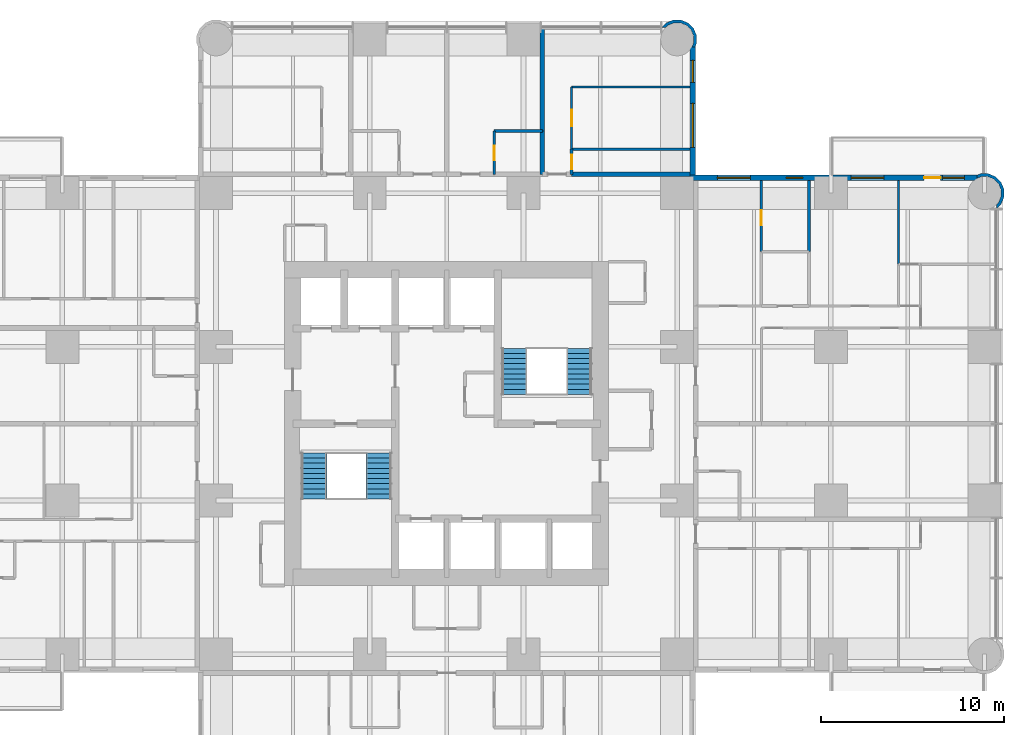
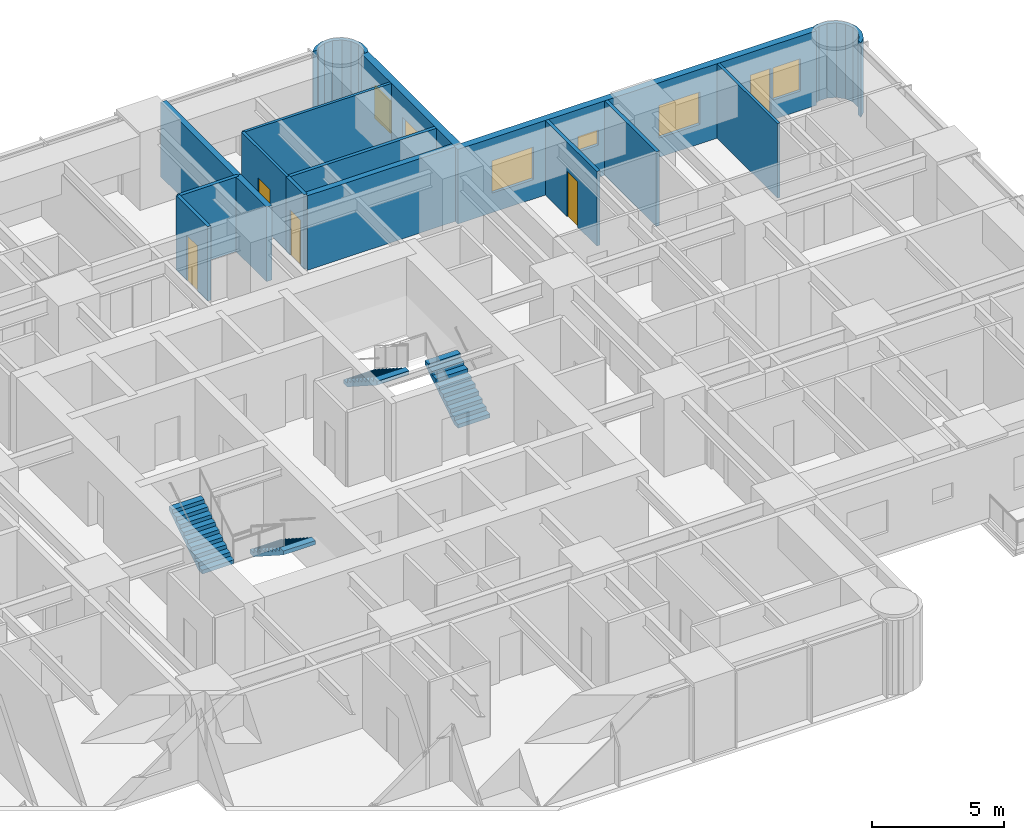
# One storey, part 12 of 14: 16 walls, 6 windows, 5 doors, 4 stair flights, 11 openings, 2 elements without a shape of their own.
"""IFC4 building model written with IfcOpenShell, lengths in metres."""

from ifc_helpers import new_model, si_unit, direction, frame, frame_2d, origin, place, context, subcontext, project, spatial, polyline, rectangle, outline, extrude, material, layer, layer_set, type_object, element, fill, aggregate, save


model = new_model("IFC4")

# Units and contexts
model_context = context("Model", 3, precision=1e-05, world=origin(), true_north=direction((0.0, 1.0)))
body_context = subcontext(model_context, "Body", "Model", "MODEL_VIEW")
ifc_project = project(units=[si_unit("LENGTHUNIT", "METRE"), si_unit("AREAUNIT", "SQUARE_METRE"), si_unit("VOLUMEUNIT", "CUBIC_METRE"), si_unit("PLANEANGLEUNIT", "RADIAN"), si_unit("MASSUNIT", "GRAM", prefix="KILO")], contexts=[model_context])

# Site, building, storey
site_placement = place(None, origin())
site = spatial("IfcSite", under=ifc_project, at=site_placement, CompositionType="ELEMENT")
building_placement = place(site_placement, origin())
building = spatial("IfcBuilding", under=site, at=building_placement, Name="Torre Alcanfor", CompositionType="ELEMENT")
storey_placement = place(building_placement, frame((0.0, 0.0, 170.10009765625)))
storey = spatial("IfcBuildingStorey", under=building, at=storey_placement, Name="L44", CompositionType="ELEMENT", Elevation=170.10009765625)

# Walls
ifc_material_1 = material(Name="Concrete block masonry, hollow blocks NMX-C-404 9 MPa", Category="masonry")
ifc_layer_1 = layer(ifc_material_1, 0.25)
ifc_layer_set_1 = layer_set([ifc_layer_1], Name="Apartment entrance wall 250 EI 60")
wall_type_1 = type_object("IfcWallType", Name="Apartment entrance wall 250 EI 60", PredefinedType="PARTITIONING", material=ifc_layer_set_1)
wall_1_placement = place(storey_placement, frame((36.22900390625, 43.02490234375, 0.0), z_axis=(0.0, 0.0, 1.0), x_axis=(1.0, 0.0, 0.0)))
element("IfcWall", 1, at=wall_1_placement, inside=storey, type_object=wall_type_1, Name="Partition L44-CORR / L44-N2B-BATH", PredefinedType="PARTITIONING", context=body_context, shape_type="SweptSolid", body=[
    extrude(rectangle(XDim=6.470947265625, YDim=0.25, at=frame_2d((3.2353515625, 0.0))), origin(), (0.0, 0.0, 1.0), 3.449951171875),
])
ifc_material_2 = material(Name="Gypsum board on steel studs", Category="steel")
ifc_layer_2 = layer(ifc_material_2, 0.1201171875)
ifc_layer_set_2 = layer_set([ifc_layer_2], Name="Apartment partition 120")
wall_type_2 = type_object("IfcWallType", Name="Apartment partition 120", PredefinedType="PARTITIONING", material=ifc_layer_set_2)
wall_2_placement = place(storey_placement, frame((42.699951171875, 47.800048828125, 0.0), z_axis=(0.0, 0.0, 1.0), x_axis=(-1.0, 0.0, 0.0)))
element("IfcWall", 2, at=wall_2_placement, inside=storey, type_object=wall_type_2, Name="Partition L44-N2B-LIVING / L44-N2B-MASTER", PredefinedType="PARTITIONING", context=body_context, shape_type="SweptSolid", body=[
    extrude(rectangle(XDim=6.470947265625, YDim=0.1201171875, at=frame_2d((3.2353515625, 0.0))), origin(), (0.0, 0.0, 1.0), 3.449951171875),
])

# Wall, opening, door
wall_3_placement = place(storey_placement, frame((36.22900390625, 47.800048828125, 0.0), z_axis=(0.0, 0.0, 1.0), x_axis=(0.0, -1.0, 0.0)))
wall_3 = element("IfcWall", 3, at=wall_3_placement, inside=storey, type_object=wall_type_2, Name="Partition L44-N2B-LIVING / L44-N2B-MASTER", PredefinedType="PARTITIONING", context=body_context, shape_type="SweptSolid", body=[
    extrude(rectangle(XDim=3.400146484375, YDim=0.1201171875, at=frame_2d((1.7001953125, 0.0))), origin(), (0.0, 0.0, 1.0), 3.449951171875),
])
opening_1_placement = place(wall_3_placement, frame((1.25, 0.0, 0.0)))
opening_1 = element("IfcOpeningElement", 4, at=opening_1_placement, cuts=wall_3, Name="Opening D-R1", PredefinedType="OPENING", context=body_context, shape_type="SweptSolid", body=[
    extrude(rectangle(XDim=0.89990234375, YDim=2.10009765625, at=frame_2d((0.449951171875, 1.050048828125))), frame((0.0, 0.070068359375, 0.0), z_axis=(0.0, -1.0, 0.0), x_axis=(1.0, 0.0, 0.0)), (0.0, 0.0, 1.0), 0.14013671875),
])
ifc_material_3 = material(Name="Timber", Category="wood")
door_type_1 = type_object("IfcDoorType", Name="Internal door 900x2100", OperationType="SINGLE_SWING_LEFT", PredefinedType="DOOR", material=ifc_material_3)
door_1_placement = place(opening_1_placement, origin())
door_1 = element("IfcDoor", 5, at=door_1_placement, inside=storey, type_object=door_type_1, Name="Door L44-N2B master", OperationType="SINGLE_SWING_LEFT", OverallHeight=2.10009765625, OverallWidth=0.89990234375, PredefinedType="DOOR", context=body_context, shape_type="SweptSolid", body=[
    extrude(rectangle(XDim=0.89990234375, YDim=2.10009765625, at=frame_2d((0.449951171875, 1.050048828125))), frame((0.0, 0.02490234375, 0.0), z_axis=(0.0, -1.0, 0.0), x_axis=(1.0, 0.0, 0.0)), (0.0, 0.0, 1.0), 0.050048828125),
])
fill(opening_1, door_1)

# Wall
wall_4_placement = place(storey_placement, frame((54.10009765625, 38.114013671875, 0.0), z_axis=(0.0, 0.0, 1.0), x_axis=(0.0, 1.0, 0.0)))
element("IfcWall", 6, at=wall_4_placement, inside=storey, type_object=wall_type_2, Name="Partition L44-E1-BED3 / L44-E1-MASTER", PredefinedType="PARTITIONING", context=body_context, shape_type="SweptSolid", body=[
    extrude(rectangle(XDim=4.5859375, YDim=0.1201171875, at=frame_2d((2.29296875, 0.0))), origin(), (0.0, 0.0, 1.0), 3.449951171875),
])

# Wall, openings, door, windows
ifc_material_4 = material(Name="Limestone cladding", Category="masonry")
ifc_layer_3 = layer(ifc_material_4, 0.0400390625, Name="Facing")
ifc_material_5 = material(Name="Ventilated air cavity")
ifc_layer_4 = layer(ifc_material_5, 0.02001953125, ventilated=True, Name="Ventilated joint")
ifc_material_6 = material(Name="Mineral wool insulation", Category="insulation")
ifc_layer_5 = layer(ifc_material_6, 0.10009765625, Name="Insulation")
ifc_material_7 = material(Name="Concrete f'c 35 MPa", Category="concrete")
ifc_layer_6 = layer(ifc_material_7, 0.139892578125, Name="Backing")
ifc_layer_set_3 = layer_set([ifc_layer_3, ifc_layer_4, ifc_layer_5, ifc_layer_6], Name="External wall stone-clad 300")
wall_type_3 = type_object("IfcWallType", Name="External wall stone-clad 300", PredefinedType="SOLIDWALL", material=ifc_layer_set_3)
wall_5_placement = place(storey_placement, frame((58.39990234375, 42.85009765625, 0.0), z_axis=(0.0, 0.0, 1.0), x_axis=(-1.0, 0.0, 0.0)))
wall_5 = element("IfcWall", 7, at=wall_5_placement, inside=storey, type_object=wall_type_3, Name="External wall L44 9", PredefinedType="SOLIDWALL", context=body_context, shape_type="SweptSolid", body=[
    extrude(rectangle(XDim=15.699951171875, YDim=0.300048828125, at=frame_2d((7.85009765625, 0.0))), origin(), (0.0, 0.0, 1.0), 3.449951171875),
])
opening_2_placement = place(wall_5_placement, frame((12.39990234375, 0.0, 0.89990234375)))
opening_2 = element("IfcOpeningElement", 8, at=opening_2_placement, cuts=wall_5, Name="Opening W2", PredefinedType="OPENING", context=body_context, shape_type="SweptSolid", body=[
    extrude(rectangle(XDim=1.800048828125, YDim=1.5, at=frame_2d((0.89990234375, 0.75))), frame((0.0, 0.159912109375, 0.0), z_axis=(0.0, -1.0, 0.0), x_axis=(1.0, 0.0, 0.0)), (0.0, 0.0, 1.0), 0.320068359375),
])
opening_3_placement = place(wall_5_placement, frame((9.550048828125, 0.0, 1.5)))
opening_3 = element("IfcOpeningElement", 9, at=opening_3_placement, cuts=wall_5, Name="Opening W3", PredefinedType="OPENING", context=body_context, shape_type="SweptSolid", body=[
    extrude(rectangle(XDim=0.89990234375, YDim=0.699951171875, at=frame_2d((0.449951171875, 0.35009765625))), frame((0.0, 0.159912109375, 0.0), z_axis=(0.0, -1.0, 0.0), x_axis=(1.0, 0.0, 0.0)), (0.0, 0.0, 1.0), 0.320068359375),
])
opening_4_placement = place(wall_5_placement, frame((5.10009765625, 0.0, 0.89990234375)))
opening_4 = element("IfcOpeningElement", 10, at=opening_4_placement, cuts=wall_5, Name="Opening W2", PredefinedType="OPENING", context=body_context, shape_type="SweptSolid", body=[
    extrude(rectangle(XDim=1.800048828125, YDim=1.5, at=frame_2d((0.89990234375, 0.75))), frame((0.0, 0.159912109375, 0.0), z_axis=(0.0, -1.0, 0.0), x_axis=(1.0, 0.0, 0.0)), (0.0, 0.0, 1.0), 0.320068359375),
])
opening_5_placement = place(wall_5_placement, frame((2.0, 0.0, 0.0)))
opening_5 = element("IfcOpeningElement", 11, at=opening_5_placement, cuts=wall_5, Name="Opening D-B1", PredefinedType="OPENING", context=body_context, shape_type="SweptSolid", body=[
    extrude(rectangle(XDim=0.89990234375, YDim=2.39990234375, at=frame_2d((0.449951171875, 1.199951171875))), frame((0.0, 0.159912109375, 0.0), z_axis=(0.0, -1.0, 0.0), x_axis=(1.0, 0.0, 0.0)), (0.0, 0.0, 1.0), 0.320068359375),
])
opening_6_placement = place(wall_5_placement, frame((0.699951171875, 0.0, 0.89990234375)))
opening_6 = element("IfcOpeningElement", 12, at=opening_6_placement, cuts=wall_5, Name="Opening W4", PredefinedType="OPENING", context=body_context, shape_type="SweptSolid", body=[
    extrude(rectangle(XDim=1.199951171875, YDim=1.5, at=frame_2d((0.60009765625, 0.75))), frame((0.0, 0.159912109375, 0.0), z_axis=(0.0, -1.0, 0.0), x_axis=(1.0, 0.0, 0.0)), (0.0, 0.0, 1.0), 0.320068359375),
])
ifc_material_8 = material(Name="Aluminium and glass", Category="aluminium")
door_type_2 = type_object("IfcDoorType", Name="Balcony door glazed 900x2400", OperationType="SINGLE_SWING_LEFT", PredefinedType="DOOR", material=ifc_material_8)
door_2_placement = place(opening_5_placement, origin())
door_2 = element("IfcDoor", 13, at=door_2_placement, inside=storey, type_object=door_type_2, Name="Balcony door L44-E1", OperationType="SINGLE_SWING_RIGHT", OverallHeight=2.39990234375, OverallWidth=0.89990234375, PredefinedType="DOOR", context=body_context, shape_type="SweptSolid", body=[
    extrude(rectangle(XDim=0.89990234375, YDim=2.39990234375, at=frame_2d((0.449951171875, 1.199951171875))), frame((0.0, 0.02490234375, 0.0), z_axis=(0.0, -1.0, 0.0), x_axis=(1.0, 0.0, 0.0)), (0.0, 0.0, 1.0), 0.050048828125),
])
fill(opening_5, door_2)
ifc_material_9 = material(Name="Aluminium frame with clear double glazing", Category="aluminium")
window_type_1 = type_object("IfcWindowType", Name="Window bathroom 900x700", PartitioningType="SINGLE_PANEL", PredefinedType="WINDOW", material=ifc_material_9)
window_1_placement = place(opening_3_placement, origin())
window_1 = element("IfcWindow", 14, at=window_1_placement, inside=storey, type_object=window_type_1, Name="Window W3 L44-E1", OverallHeight=0.699951171875, OverallWidth=0.89990234375, PartitioningType="SINGLE_PANEL", PredefinedType="WINDOW", context=body_context, shape_type="SweptSolid", body=[
    extrude(rectangle(XDim=0.89990234375, YDim=0.699951171875, at=frame_2d((0.449951171875, 0.35009765625))), frame((0.0, 0.030029296875, 0.0), z_axis=(0.0, -1.0, 0.0), x_axis=(1.0, 0.0, 0.0)), (0.0, 0.0, 1.0), 0.06005859375),
])
fill(opening_3, window_1)
ifc_material_10 = material(Name="Aluminium frame with clear double glazing", Category="aluminium")
window_type_2 = type_object("IfcWindowType", Name="Window bedroom 1200x1500", PartitioningType="SINGLE_PANEL", PredefinedType="WINDOW", material=ifc_material_10)
window_2_placement = place(opening_6_placement, origin())
window_2 = element("IfcWindow", 15, at=window_2_placement, inside=storey, type_object=window_type_2, Name="Window W4 L44-E1", OverallHeight=1.5, OverallWidth=1.199951171875, PartitioningType="SINGLE_PANEL", PredefinedType="WINDOW", context=body_context, shape_type="SweptSolid", body=[
    extrude(rectangle(XDim=1.199951171875, YDim=1.5, at=frame_2d((0.60009765625, 0.75))), frame((0.0, 0.030029296875, 0.0), z_axis=(0.0, -1.0, 0.0), x_axis=(1.0, 0.0, 0.0)), (0.0, 0.0, 1.0), 0.06005859375),
])
fill(opening_6, window_2)
ifc_material_11 = material(Name="Aluminium frame with clear double glazing", Category="aluminium")
window_type_3 = type_object("IfcWindowType", Name="Window bedroom 1800x1500", PartitioningType="SINGLE_PANEL", PredefinedType="WINDOW", material=ifc_material_11)
window_3_placement = place(opening_2_placement, origin())
window_3 = element("IfcWindow", 16, at=window_3_placement, inside=storey, type_object=window_type_3, Name="Window W2 L44-E1", OverallHeight=1.5, OverallWidth=1.800048828125, PartitioningType="SINGLE_PANEL", PredefinedType="WINDOW", context=body_context, shape_type="SweptSolid", body=[
    extrude(rectangle(XDim=1.800048828125, YDim=1.5, at=frame_2d((0.89990234375, 0.75))), frame((0.0, 0.030029296875, 0.0), z_axis=(0.0, -1.0, 0.0), x_axis=(1.0, 0.0, 0.0)), (0.0, 0.0, 1.0), 0.06005859375),
])
fill(opening_2, window_3)
window_4_placement = place(opening_4_placement, origin())
window_4 = element("IfcWindow", 17, at=window_4_placement, inside=storey, type_object=window_type_3, Name="Window W2 L44-E1", OverallHeight=1.5, OverallWidth=1.800048828125, PartitioningType="SINGLE_PANEL", PredefinedType="WINDOW", context=body_context, shape_type="SweptSolid", body=[
    extrude(rectangle(XDim=1.800048828125, YDim=1.5, at=frame_2d((0.89990234375, 0.75))), frame((0.0, 0.030029296875, 0.0), z_axis=(0.0, -1.0, 0.0), x_axis=(1.0, 0.0, 0.0)), (0.0, 0.0, 1.0), 0.06005859375),
])
fill(opening_4, window_4)

# Wall, openings, windows
wall_6_placement = place(storey_placement, frame((42.85009765625, 43.0, 0.0), z_axis=(0.0, 0.0, 1.0), x_axis=(0.0, 1.0, 0.0)))
wall_6 = element("IfcWall", 18, at=wall_6_placement, inside=storey, type_object=wall_type_3, Name="External wall L44 10", PredefinedType="SOLIDWALL", context=body_context, shape_type="SweptSolid", body=[
    extrude(rectangle(XDim=7.0, YDim=0.300048828125, at=frame_2d((3.5, 0.0))), origin(), (0.0, 0.0, 1.0), 3.449951171875),
])
opening_7_placement = place(wall_6_placement, frame((1.5, 0.0, 0.89990234375)))
opening_7 = element("IfcOpeningElement", 19, at=opening_7_placement, cuts=wall_6, Name="Opening W1", PredefinedType="OPENING", context=body_context, shape_type="SweptSolid", body=[
    extrude(rectangle(XDim=2.39990234375, YDim=1.5, at=frame_2d((1.199951171875, 0.75))), frame((0.0, 0.159912109375, 0.0), z_axis=(0.0, -1.0, 0.0), x_axis=(1.0, 0.0, 0.0)), (0.0, 0.0, 1.0), 0.320068359375),
])
opening_8_placement = place(wall_6_placement, frame((5.050048828125, 0.0, 0.89990234375)))
opening_8 = element("IfcOpeningElement", 20, at=opening_8_placement, cuts=wall_6, Name="Opening W4", PredefinedType="OPENING", context=body_context, shape_type="SweptSolid", body=[
    extrude(rectangle(XDim=1.199951171875, YDim=1.5, at=frame_2d((0.60009765625, 0.75))), frame((0.0, 0.159912109375, 0.0), z_axis=(0.0, -1.0, 0.0), x_axis=(1.0, 0.0, 0.0)), (0.0, 0.0, 1.0), 0.320068359375),
])
window_5_placement = place(opening_8_placement, origin())
window_5 = element("IfcWindow", 21, at=window_5_placement, inside=storey, type_object=window_type_2, Name="Window W4 L44-N2", OverallHeight=1.5, OverallWidth=1.199951171875, PartitioningType="SINGLE_PANEL", PredefinedType="WINDOW", context=body_context, shape_type="SweptSolid", body=[
    extrude(rectangle(XDim=1.199951171875, YDim=1.5, at=frame_2d((0.60009765625, 0.75))), frame((0.0, 0.030029296875, 0.0), z_axis=(0.0, -1.0, 0.0), x_axis=(1.0, 0.0, 0.0)), (0.0, 0.0, 1.0), 0.06005859375),
])
fill(opening_8, window_5)
ifc_material_12 = material(Name="Aluminium frame with clear double glazing", Category="aluminium")
window_type_4 = type_object("IfcWindowType", Name="Window bedroom 2400x1500", PartitioningType="SINGLE_PANEL", PredefinedType="WINDOW", material=ifc_material_12)
window_6_placement = place(opening_7_placement, origin())
window_6 = element("IfcWindow", 22, at=window_6_placement, inside=storey, type_object=window_type_4, Name="Window W1 L44-N2", OverallHeight=1.5, OverallWidth=2.39990234375, PartitioningType="SINGLE_PANEL", PredefinedType="WINDOW", context=body_context, shape_type="SweptSolid", body=[
    extrude(rectangle(XDim=2.39990234375, YDim=1.5, at=frame_2d((1.199951171875, 0.75))), frame((0.0, 0.030029296875, 0.0), z_axis=(0.0, -1.0, 0.0), x_axis=(1.0, 0.0, 0.0)), (0.0, 0.0, 1.0), 0.06005859375),
])
fill(opening_7, window_6)

# Walls
ifc_material_13 = material(Name="Concrete block masonry, hollow blocks NMX-C-404 9 MPa", Category="masonry")
ifc_layer_7 = layer(ifc_material_13, 0.25)
ifc_layer_set_4 = layer_set([ifc_layer_7], Name="Party wall 250 EI 60")
wall_type_4 = type_object("IfcWallType", Name="Party wall 250 EI 60", PredefinedType="PARTITIONING", material=ifc_layer_set_4)
wall_7_placement = place(storey_placement, frame((34.62890625, 51.050048828125, 0.0), z_axis=(0.0, 0.0, 1.0), x_axis=(0.0, -1.0, 0.0)))
element("IfcWall", 23, at=wall_7_placement, inside=storey, type_object=wall_type_4, Name="Partition L44-N2A-STUDIO / L44-N2B-LIVING", PredefinedType="PARTITIONING", context=body_context, shape_type="SweptSolid", body=[
    extrude(rectangle(XDim=5.650146484375, YDim=0.25, at=frame_2d((2.8251953125, 0.0))), origin(), (0.0, 0.0, 1.0), 3.449951171875),
])
wall_8_placement = place(storey_placement, frame((34.62890625, 45.39990234375, 0.0), z_axis=(0.0, 0.0, 1.0), x_axis=(0.0, -1.0, 0.0)))
element("IfcWall", 24, at=wall_8_placement, inside=storey, type_object=wall_type_4, Name="Partition L44-N2A-BATH / L44-N2B-LIVING", PredefinedType="PARTITIONING", context=body_context, shape_type="SweptSolid", body=[
    extrude(rectangle(XDim=2.375, YDim=0.25, at=frame_2d((1.1875, 0.0))), origin(), (0.0, 0.0, 1.0), 3.449951171875),
])
ifc_layer_8 = layer(ifc_material_4, 0.0400390625, Name="Facing")
ifc_layer_9 = layer(ifc_material_5, 0.02001953125, ventilated=True, Name="Ventilated joint")
ifc_layer_10 = layer(ifc_material_6, 0.10009765625, Name="Insulation")
ifc_layer_11 = layer(ifc_material_7, 0.139892578125, Name="Backing")
ifc_layer_set_5 = layer_set([ifc_layer_8, ifc_layer_9, ifc_layer_10, ifc_layer_11], Name="Rounded corner pier stone-clad 300")
wall_type_5 = type_object("IfcWallType", Name="Rounded corner pier stone-clad 300", PredefinedType="SOLIDWALL", material=ifc_layer_set_5)
wall_9_placement = place(storey_placement, frame((59.410519256, 41.23340608, 0.0), z_axis=(0.0, 0.0, 1.0), x_axis=(0.926129809145, 0.377204953059, 0.0)))
element("IfcWall", 25, at=wall_9_placement, inside=storey, type_object=wall_type_5, Name="Corner pier L44 18", PredefinedType="SOLIDWALL", context=body_context, shape_type="SweptSolid", body=[
    extrude(outline(polyline([(0.6260654471319579, 0.34524919711057256), (0.7850146045978224, 0.7355079985228963), (0.7823098124660501, 1.1573373086599013), (0.6187697625812524, 1.546081906916958), (0.31877691555394516, 1.8425152342918512), (-0.07170799176881437, 2.0015564828107086), (-0.24004949470661174, 2.000526523212158), (-0.2695944713928893, 2.0173049949130335), (-0.36998902843916337, 1.8407134525266757), (-0.10235758996356603, 1.8421635923174307), (0.22956588655630128, 1.7069739265237522), (0.4845024203782949, 1.4552530429107593), (0.6236098424040335, 1.1249645948716174), (0.6257138051575375, 0.7663837026280839), (0.49052413936385914, 0.43446022610821644), (0.23848505878743742, 0.1793896774287799), (0.09020527382959523, 0.11693875386038477), (0.010914877202648991, -0.0777384350249053), (0.02448123182880161, -0.08326389820448342), (0.32940601384662893, 0.045348441136258355), (0.47997135267738844, 0.19755163478368112), (0.49907282709518125, 0.19267151555903828), (0.5076193949673722, 0.22530566424262682), (0.6260654471319579, 0.34524919711057256)])), origin(), (0.0, 0.0, 1.0), 3.449951171875),
])
wall_10_placement = place(storey_placement, frame((42.909907157, 50.036037137, 0.0), z_axis=(0.0, 0.0, 1.0), x_axis=(0.377204953059, 0.926129809145, 0.0)))
element("IfcWall", 26, at=wall_10_placement, inside=storey, type_object=wall_type_5, Name="Corner pier L44 19", PredefinedType="SOLIDWALL", context=body_context, shape_type="SweptSolid", body=[
    extrude(outline(polyline([(0.7690495923804641, 1.727510334237576), (0.7501742238731071, 1.7227223060659262), (0.5996088850423476, 1.8749254997133489), (0.2946841030245203, 2.0035378390540908), (0.2811177483983677, 1.9980123758745125), (0.36040814502531393, 1.8033351869892225), (0.5086879299831563, 1.7408842634208272), (0.7607270105595778, 1.4858137147413908), (0.8959166763532561, 1.1538902382215235), (0.8938127135997522, 0.79530934597799), (0.7547052915740137, 0.4650208979388479), (0.4995426518415842, 0.21320792327286212), (0.1676191753217168, 0.07801825747918373), (-0.10001226315388055, 0.07946839726993866), (0.0006083998028294027, -0.09703105406342623), (0.03015337648910698, -0.08025258236255073), (0.19849487942690439, -0.08128254196110103), (0.5889797867496639, 0.0777587065577563), (0.8889726337769711, 0.3741920339326494), (1.0525126836617686, 0.7629366321897061), (1.054991369883105, 1.1846738512737183), (0.8960422124172407, 1.5749326526860419), (0.7775961602526551, 1.6948761855539876), (0.7690495923804641, 1.727510334237576)])), origin(), (0.0, 0.0, 1.0), 3.449951171875),
])
ifc_material_14 = material(Name="Cement board on steel studs", Category="steel")
ifc_layer_12 = layer(ifc_material_14, 0.14990234375)
ifc_layer_set_6 = layer_set([ifc_layer_12], Name="Wet area partition 150")
wall_type_6 = type_object("IfcWallType", Name="Wet area partition 150", PredefinedType="PARTITIONING", material=ifc_layer_set_6)
wall_11_placement = place(storey_placement, frame((34.62890625, 45.39990234375, 0.0), z_axis=(0.0, 0.0, 1.0), x_axis=(-1.0, 0.0, 0.0)))
element("IfcWall", 27, at=wall_11_placement, inside=storey, type_object=wall_type_6, Name="Partition L44-N2A-STUDIO / L44-N2A-BATH", PredefinedType="PARTITIONING", context=body_context, shape_type="SweptSolid", body=[
    extrude(rectangle(XDim=2.62890625, YDim=0.14990234375, at=frame_2d((1.314453125, 0.0))), origin(), (0.0, 0.0, 1.0), 3.449951171875),
])

# Wall, opening, door
wall_12_placement = place(storey_placement, frame((32.0, 45.39990234375, 0.0), z_axis=(0.0, 0.0, 1.0), x_axis=(0.0, -1.0, 0.0)))
wall_12 = element("IfcWall", 28, at=wall_12_placement, inside=storey, type_object=wall_type_6, Name="Partition L44-N2A-STUDIO / L44-N2A-BATH", PredefinedType="PARTITIONING", context=body_context, shape_type="SweptSolid", body=[
    extrude(rectangle(XDim=2.375, YDim=0.14990234375, at=frame_2d((1.1875, 0.0))), origin(), (0.0, 0.0, 1.0), 3.449951171875),
])
opening_9_placement = place(wall_12_placement, frame((0.800048828125, 0.0, 0.0)))
opening_9 = element("IfcOpeningElement", 29, at=opening_9_placement, cuts=wall_12, Name="Opening D-R2", PredefinedType="OPENING", context=body_context, shape_type="SweptSolid", body=[
    extrude(rectangle(XDim=0.800048828125, YDim=2.10009765625, at=frame_2d((0.39990234375, 1.050048828125))), frame((0.0, 0.0849609375, 0.0), z_axis=(0.0, -1.0, 0.0), x_axis=(1.0, 0.0, 0.0)), (0.0, 0.0, 1.0), 0.169921875),
])
ifc_material_15 = material(Name="Timber", Category="wood")
door_type_3 = type_object("IfcDoorType", Name="Bathroom door 800x2100", OperationType="SINGLE_SWING_LEFT", PredefinedType="DOOR", material=ifc_material_15)
door_3_placement = place(opening_9_placement, origin())
door_3 = element("IfcDoor", 30, at=door_3_placement, inside=storey, type_object=door_type_3, Name="Door L44-N2A bath", OperationType="SINGLE_SWING_RIGHT", OverallHeight=2.10009765625, OverallWidth=0.800048828125, PredefinedType="DOOR", context=body_context, shape_type="SweptSolid", body=[
    extrude(rectangle(XDim=0.800048828125, YDim=2.10009765625, at=frame_2d((0.39990234375, 1.050048828125))), frame((0.0, 0.02490234375, 0.0), z_axis=(0.0, -1.0, 0.0), x_axis=(1.0, 0.0, 0.0)), (0.0, 0.0, 1.0), 0.050048828125),
])
fill(opening_9, door_3)

wall_13_placement = place(storey_placement, frame((36.22900390625, 44.39990234375, 0.0), z_axis=(0.0, 0.0, 1.0), x_axis=(0.0, -1.0, 0.0)))
wall_13 = element("IfcWall", 31, at=wall_13_placement, inside=storey, type_object=wall_type_6, Name="Partition L44-N2B-LIVING / L44-N2B-BATH", PredefinedType="PARTITIONING", context=body_context, shape_type="SweptSolid", body=[
    extrude(rectangle(XDim=1.375, YDim=0.14990234375, at=frame_2d((0.6875, 0.0))), origin(), (0.0, 0.0, 1.0), 3.449951171875),
])
opening_10_placement = place(wall_13_placement, frame((0.300048828125, 0.0, 0.0)))
opening_10 = element("IfcOpeningElement", 32, at=opening_10_placement, cuts=wall_13, Name="Opening D-R2", PredefinedType="OPENING", context=body_context, shape_type="SweptSolid", body=[
    extrude(rectangle(XDim=0.800048828125, YDim=2.10009765625, at=frame_2d((0.39990234375, 1.050048828125))), frame((0.0, 0.0849609375, 0.0), z_axis=(0.0, -1.0, 0.0), x_axis=(1.0, 0.0, 0.0)), (0.0, 0.0, 1.0), 0.169921875),
])
door_4_placement = place(opening_10_placement, origin())
door_4 = element("IfcDoor", 33, at=door_4_placement, inside=storey, type_object=door_type_3, Name="Door L44-N2B bath", OperationType="SINGLE_SWING_RIGHT", OverallHeight=2.10009765625, OverallWidth=0.800048828125, PredefinedType="DOOR", context=body_context, shape_type="SweptSolid", body=[
    extrude(rectangle(XDim=0.800048828125, YDim=2.10009765625, at=frame_2d((0.39990234375, 1.050048828125))), frame((0.0, 0.02490234375, 0.0), z_axis=(0.0, -1.0, 0.0), x_axis=(1.0, 0.0, 0.0)), (0.0, 0.0, 1.0), 0.050048828125),
])
fill(opening_10, door_4)

# Wall
wall_14_placement = place(storey_placement, frame((36.22900390625, 44.39990234375, 0.0), z_axis=(0.0, 0.0, 1.0), x_axis=(1.0, 0.0, 0.0)))
element("IfcWall", 34, at=wall_14_placement, inside=storey, type_object=wall_type_6, Name="Partition L44-N2B-BATH / L44-N2B-MASTER", PredefinedType="PARTITIONING", context=body_context, shape_type="SweptSolid", body=[
    extrude(rectangle(XDim=6.470947265625, YDim=0.14990234375, at=frame_2d((3.2353515625, 0.0))), origin(), (0.0, 0.0, 1.0), 3.449951171875),
])

# Wall, opening, door
wall_15_placement = place(storey_placement, frame((46.60009765625, 38.800048828125, 0.0), z_axis=(0.0, 0.0, 1.0), x_axis=(0.0, 1.0, 0.0)))
wall_15 = element("IfcWall", 35, at=wall_15_placement, inside=storey, type_object=wall_type_6, Name="Partition L44-E1-SERV / L44-E1-SBATH", PredefinedType="PARTITIONING", context=body_context, shape_type="SweptSolid", body=[
    extrude(rectangle(XDim=3.89990234375, YDim=0.14990234375, at=frame_2d((1.949951171875, 0.0))), origin(), (0.0, 0.0, 1.0), 3.449951171875),
])
opening_11_placement = place(wall_15_placement, frame((1.449951171875, 0.0, 0.0)))
opening_11 = element("IfcOpeningElement", 36, at=opening_11_placement, cuts=wall_15, Name="Opening D-R2", PredefinedType="OPENING", context=body_context, shape_type="SweptSolid", body=[
    extrude(rectangle(XDim=0.800048828125, YDim=2.10009765625, at=frame_2d((0.39990234375, 1.050048828125))), frame((0.0, 0.0849609375, 0.0), z_axis=(0.0, -1.0, 0.0), x_axis=(1.0, 0.0, 0.0)), (0.0, 0.0, 1.0), 0.169921875),
])
door_5_placement = place(opening_11_placement, frame((0.800048828125, 0.0, 0.0), z_axis=(0.0, 0.0, 1.0), x_axis=(-1.0, 0.0, 0.0)))
door_5 = element("IfcDoor", 37, at=door_5_placement, inside=storey, type_object=door_type_3, Name="Door L44-E1 sbath", OperationType="SINGLE_SWING_RIGHT", OverallHeight=2.10009765625, OverallWidth=0.800048828125, PredefinedType="DOOR", context=body_context, shape_type="SweptSolid", body=[
    extrude(rectangle(XDim=0.800048828125, YDim=2.10009765625, at=frame_2d((0.400146484375, 1.050048828125))), frame((0.0, 0.025146484375, 0.0), z_axis=(0.0, -1.0, 0.0), x_axis=(1.0, 0.0, 0.0)), (0.0, 0.0, 1.0), 0.050048828125),
])
fill(opening_11, door_5)

# Wall
wall_16_placement = place(storey_placement, frame((49.199951171875, 38.800048828125, 0.0), z_axis=(0.0, 0.0, 1.0), x_axis=(0.0, 1.0, 0.0)))
element("IfcWall", 38, at=wall_16_placement, inside=storey, type_object=wall_type_6, Name="Partition L44-E1-SBATH / L44-E1-BED3", PredefinedType="PARTITIONING", context=body_context, shape_type="SweptSolid", body=[
    extrude(rectangle(XDim=3.89990234375, YDim=0.14990234375, at=frame_2d((1.949951171875, 0.0))), origin(), (0.0, 0.0, 1.0), 3.449951171875),
])

# Stair, stair flights
ifc_material_16 = material(Name="Concrete f'c 35 MPa", Category="concrete")
stair_type_1 = type_object("IfcStairType", Name="Exit stair S1 1400 wide", PredefinedType="HALF_TURN_STAIR", material=ifc_material_16)
stair_1_placement = place(storey_placement, origin())
stair_1 = element("IfcStair", 39, at=stair_1_placement, inside=storey, type_object=stair_type_1, Name="Stair S1 L44 to L45", PredefinedType="HALF_TURN_STAIR")
ifc_material_17 = material(Name="Concrete f'c 35 MPa", Category="concrete")
stair_flight_type = type_object("IfcStairFlightType", Name="Stair flight 1400", PredefinedType="STRAIGHT", material=ifc_material_17)
stair_flight_1_placement = place(storey_placement, frame((25.699951171875, 27.800048828125, 0.0), z_axis=(0.0, 0.0, 1.0), x_axis=(0.0, -1.0, 0.0)))
stair_flight_1 = element("IfcStairFlight", 40, at=stair_flight_1_placement, type_object=stair_flight_type, Name="S1 flight 1", NumberOfRisers=10, NumberOfTreads=9, PredefinedType="STRAIGHT", RiserHeight=0.18, TreadLength=0.28, context=body_context, shape_type="SweptSolid", body=[
    extrude(outline(polyline([(0.0, 0.0), (0.0, 0.179931640625), (0.280029296875, 0.179931640625), (0.280029296875, 0.360107421875), (0.56005859375, 0.360107421875), (0.56005859375, 0.5400390625), (0.840087890625, 0.5400390625), (0.840087890625, 0.719970703125), (1.1201171875, 0.719970703125), (1.1201171875, 0.89990234375), (1.39990234375, 0.89990234375), (1.39990234375, 1.080078125), (1.679931640625, 1.080078125), (1.679931640625, 1.260009765625), (1.9599609375, 1.260009765625), (1.9599609375, 1.43994140625), (2.239990234375, 1.43994140625), (2.239990234375, 1.6201171875), (2.52001953125, 1.6201171875), (2.52001953125, 1.800048828125), (2.52001953125, 1.44189453125), (0.277099609375, 0.0), (0.0, 0.0)])), frame((0.0, 0.699951171875, 0.0), z_axis=(0.0, -1.0, 0.0), x_axis=(1.0, 0.0, 0.0)), (0.0, 0.0, 1.0), 1.39990234375),
])
stair_flight_2_placement = place(storey_placement, frame((22.14990234375, 25.280029296875, 1.7998046875), z_axis=(0.0, 0.0, 1.0), x_axis=(0.0, 1.0, 0.0)))
stair_flight_2 = element("IfcStairFlight", 41, at=stair_flight_2_placement, type_object=stair_flight_type, Name="S1 flight 2", NumberOfRisers=10, NumberOfTreads=9, PredefinedType="STRAIGHT", RiserHeight=0.18, TreadLength=0.28, context=body_context, shape_type="SweptSolid", body=[
    extrude(outline(polyline([(0.0, 0.0), (0.0, 0.179931640625), (0.280029296875, 0.179931640625), (0.280029296875, 0.360107421875), (0.56005859375, 0.360107421875), (0.56005859375, 0.5400390625), (0.840087890625, 0.5400390625), (0.840087890625, 0.719970703125), (1.1201171875, 0.719970703125), (1.1201171875, 0.89990234375), (1.39990234375, 0.89990234375), (1.39990234375, 1.080078125), (1.679931640625, 1.080078125), (1.679931640625, 1.260009765625), (1.9599609375, 1.260009765625), (1.9599609375, 1.43994140625), (2.239990234375, 1.43994140625), (2.239990234375, 1.6201171875), (2.52001953125, 1.6201171875), (2.52001953125, 1.800048828125), (2.52001953125, 1.44189453125), (0.277099609375, 0.0), (0.0, 0.0)])), frame((0.0, 0.699951171875, 0.0), z_axis=(0.0, -1.0, 0.0), x_axis=(1.0, 0.0, 0.0)), (0.0, 0.0, 1.0), 1.39990234375),
])
aggregate(stair_1, [stair_flight_1, stair_flight_2])

ifc_material_18 = material(Name="Concrete f'c 35 MPa", Category="concrete")
stair_type_2 = type_object("IfcStairType", Name="Exit stair S2 1400 wide", PredefinedType="HALF_TURN_STAIR", material=ifc_material_18)
stair_2_placement = place(storey_placement, origin())
stair_2 = element("IfcStair", 42, at=stair_2_placement, inside=storey, type_object=stair_type_2, Name="Stair S2 L44 to L45", PredefinedType="HALF_TURN_STAIR")
stair_flight_3_placement = place(storey_placement, frame((36.64990234375, 31.0, 0.0), z_axis=(0.0, 0.0, 1.0), x_axis=(0.0, 1.0, 0.0)))
stair_flight_3 = element("IfcStairFlight", 43, at=stair_flight_3_placement, type_object=stair_flight_type, Name="S2 flight 1", NumberOfRisers=10, NumberOfTreads=9, PredefinedType="STRAIGHT", RiserHeight=0.18, TreadLength=0.28, context=body_context, shape_type="SweptSolid", body=[
    extrude(outline(polyline([(0.0, 0.0), (0.0, 0.179931640625), (0.280029296875, 0.179931640625), (0.280029296875, 0.360107421875), (0.56005859375, 0.360107421875), (0.56005859375, 0.5400390625), (0.840087890625, 0.5400390625), (0.840087890625, 0.719970703125), (1.1201171875, 0.719970703125), (1.1201171875, 0.89990234375), (1.39990234375, 0.89990234375), (1.39990234375, 1.080078125), (1.679931640625, 1.080078125), (1.679931640625, 1.260009765625), (1.9599609375, 1.260009765625), (1.9599609375, 1.43994140625), (2.239990234375, 1.43994140625), (2.239990234375, 1.6201171875), (2.52001953125, 1.6201171875), (2.52001953125, 1.800048828125), (2.52001953125, 1.44189453125), (0.277099609375, 0.0), (0.0, 0.0)])), frame((0.0, 0.699951171875, 0.0), z_axis=(0.0, -1.0, 0.0), x_axis=(1.0, 0.0, 0.0)), (0.0, 0.0, 1.0), 1.39990234375),
])
stair_flight_4_placement = place(storey_placement, frame((33.10009765625, 33.52001953125, 1.7998046875), z_axis=(0.0, 0.0, 1.0), x_axis=(0.0, -1.0, 0.0)))
stair_flight_4 = element("IfcStairFlight", 44, at=stair_flight_4_placement, type_object=stair_flight_type, Name="S2 flight 2", NumberOfRisers=10, NumberOfTreads=9, PredefinedType="STRAIGHT", RiserHeight=0.18, TreadLength=0.28, context=body_context, shape_type="SweptSolid", body=[
    extrude(outline(polyline([(0.0, 0.0), (0.0, 0.179931640625), (0.280029296875, 0.179931640625), (0.280029296875, 0.360107421875), (0.56005859375, 0.360107421875), (0.56005859375, 0.5400390625), (0.840087890625, 0.5400390625), (0.840087890625, 0.719970703125), (1.1201171875, 0.719970703125), (1.1201171875, 0.89990234375), (1.39990234375, 0.89990234375), (1.39990234375, 1.080078125), (1.679931640625, 1.080078125), (1.679931640625, 1.260009765625), (1.9599609375, 1.260009765625), (1.9599609375, 1.43994140625), (2.239990234375, 1.43994140625), (2.239990234375, 1.6201171875), (2.52001953125, 1.6201171875), (2.52001953125, 1.800048828125), (2.52001953125, 1.44189453125), (0.277099609375, 0.0), (0.0, 0.0)])), frame((0.0, 0.699951171875, 0.0), z_axis=(0.0, -1.0, 0.0), x_axis=(1.0, 0.0, 0.0)), (0.0, 0.0, 1.0), 1.39990234375),
])
aggregate(stair_2, [stair_flight_3, stair_flight_4])

save(model, "model.ifc")
